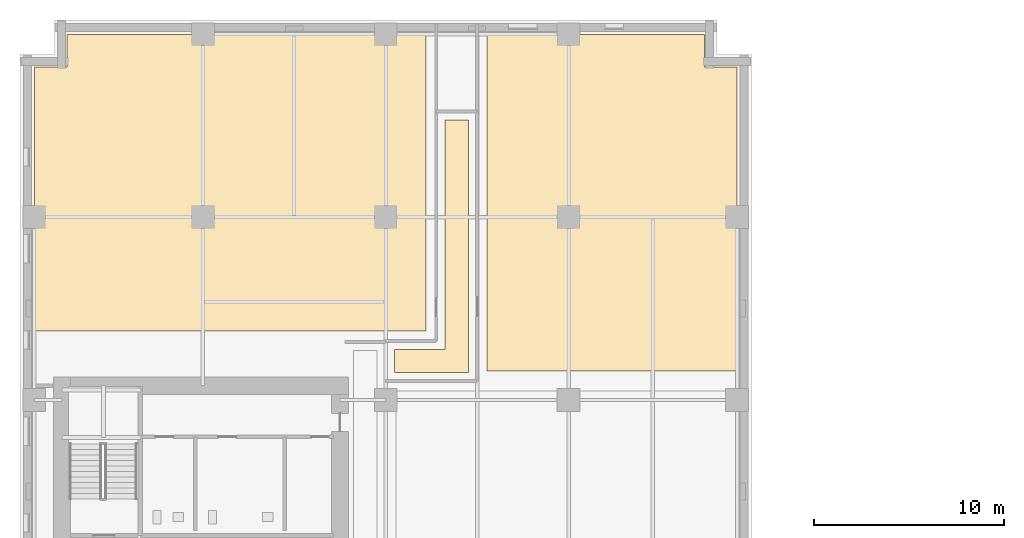
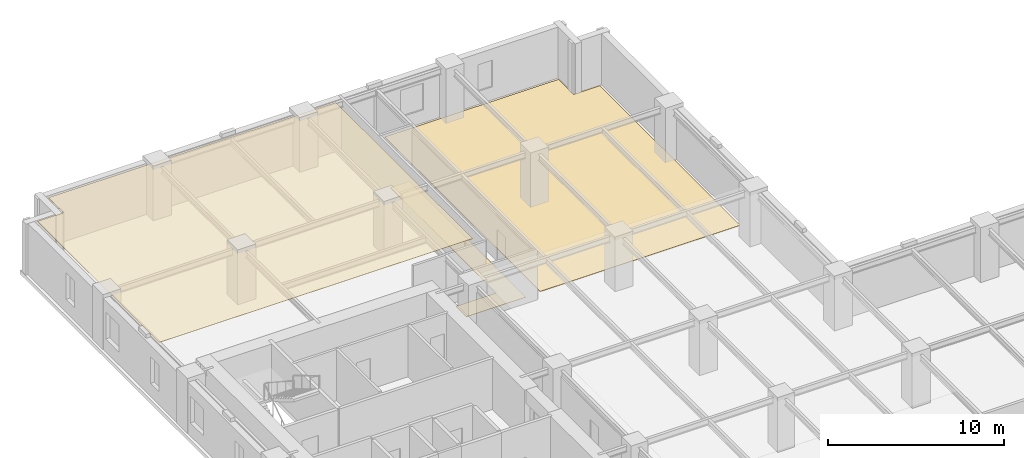
# One storey, part 12 of 13: 3 coverings.
"""IFC4 building model written with IfcOpenShell, lengths in metres."""

import ifcopenshell
import ifcopenshell.guid

model = None  # the IFC model being written
_history = None  # IfcOwnerHistory: only IFC2X3 demands one
_inside = {}  # id of a spatial element -> (the spatial element, [elements in it])
_under = {}  # id of a project, library or spatial element -> (it, [spatial elements below it])
_declared = {}  # id of a project -> (the project, [libraries it declares])
_typed = {}  # id of a type object -> (the type object, [elements of that type])
_made_of = {}  # id of a material, layer set ... -> (it, [elements and type objects made of it])


def new_model(schema):
    """Start an empty IFC model of exactly this schema.

    Asked for "IFC4X3", IfcOpenShell would pick the latest addendum, in which some entities
    have other attributes; the version numbers below select the first issue.
    IFC2X3 requires an IfcOwnerHistory on every rooted entity: one is made here for all.
    """
    global model, _history
    if schema == "IFC4X3":
        model = ifcopenshell.file(schema_version=(4, 3, 0, 0))
    else:
        model = ifcopenshell.file(schema=schema)
    _inside.clear()
    _under.clear()
    _declared.clear()
    _typed.clear()
    _made_of.clear()
    _history = None
    if model.schema == "IFC2X3":
        org = make("IfcOrganization", Name="unknown")
        user = make(
            "IfcPersonAndOrganization",
            ThePerson=make("IfcPerson", FamilyName="unknown"),
            TheOrganization=org,
        )
        app = make(
            "IfcApplication",
            ApplicationDeveloper=org,
            Version="unknown",
            ApplicationFullName="unknown",
            ApplicationIdentifier="unknown",
        )
        _history = make(
            "IfcOwnerHistory",
            OwningUser=user,
            OwningApplication=app,
            ChangeAction="ADDED",
            CreationDate=0,
        )
    return model


def make(cls, **values):
    """One entity of the class cls with the attributes given. An attribute that is None is left unset."""
    return model.create_entity(
        cls, **{name: value for name, value in values.items() if value is not None}
    )


def rooted(cls, **values):
    """An entity with a GlobalId (a new one), such as an element, a storey or a relation."""
    return make(cls, GlobalId=ifcopenshell.guid.new(), OwnerHistory=_history, **values)


def si_unit(unit_type, name, prefix=None):
    """IfcSIUnit, for example si_unit("LENGTHUNIT", "METRE", prefix="MILLI")."""
    return make("IfcSIUnit", UnitType=unit_type, Prefix=prefix, Name=name)


def assignment(units):
    """IfcUnitAssignment: the units of a project."""
    return None if units is None else make("IfcUnitAssignment", Units=units)


def point(xyz):
    """IfcCartesianPoint."""
    return None if xyz is None else make("IfcCartesianPoint", Coordinates=xyz)


def direction(xyz):
    """IfcDirection."""
    return None if xyz is None else make("IfcDirection", DirectionRatios=xyz)


def frame(location, z_axis=None, x_axis=None):
    """IfcAxis2Placement3D, a coordinate frame: its origin and axes. An axis left out is left unset."""
    return make(
        "IfcAxis2Placement3D",
        Location=point(location),
        Axis=direction(z_axis),
        RefDirection=direction(x_axis),
    )


def origin():
    """The frame at (0, 0, 0) with its axes left unset."""
    return frame((0.0, 0.0, 0.0))


def place(relative_to, where):
    """IfcLocalPlacement: puts the frame where relative to a parent placement (None: the world)."""
    return make(
        "IfcLocalPlacement", PlacementRelTo=relative_to, RelativePlacement=where
    )


def context(
    kind, dimensions, precision=None, world=None, true_north=None, identifier=None
):
    """IfcGeometricRepresentationContext, for example the 3D "Model" context."""
    return make(
        "IfcGeometricRepresentationContext",
        ContextIdentifier=identifier,
        ContextType=kind,
        CoordinateSpaceDimension=dimensions,
        Precision=precision,
        WorldCoordinateSystem=world,
        TrueNorth=true_north,
    )


def subcontext(parent, identifier, kind, view, scale=None):
    """IfcGeometricRepresentationSubContext, for example "Body" below "Model"."""
    return make(
        "IfcGeometricRepresentationSubContext",
        ContextIdentifier=identifier,
        ContextType=kind,
        ParentContext=parent,
        TargetScale=scale,
        TargetView=view,
    )


def project(units=None, contexts=None):
    """IfcProject with its units and contexts."""
    return rooted(
        "IfcProject",
        Name="project",
        RepresentationContexts=contexts,
        UnitsInContext=assignment(units),
    )


def spatial(cls, under=None, at=None, **own):
    """A site, building, storey or space (cls), placed at a placement, below another one or the project."""
    s = rooted(cls, ObjectPlacement=at, **own)
    if under is not None:
        _under.setdefault(under.id(), (under, []))[1].append(s)
    return s


def polyline(points):
    """IfcPolyline through the points."""
    return make("IfcPolyline", Points=[point(p) for p in points])


def outline(outer, holes=None, kind="AREA"):
    """IfcArbitraryClosedProfileDef: a profile drawn as a closed curve; with holes, ...WithVoids."""
    if holes is None:
        return make("IfcArbitraryClosedProfileDef", ProfileType=kind, OuterCurve=outer)
    return make(
        "IfcArbitraryProfileDefWithVoids",
        ProfileType=kind,
        OuterCurve=outer,
        InnerCurves=holes,
    )


def extrude(swept, where, along, depth):
    """IfcExtrudedAreaSolid: the profile swept, set in the frame where, extruded along a direction by depth."""
    return make(
        "IfcExtrudedAreaSolid",
        SweptArea=swept,
        Position=where,
        ExtrudedDirection=direction(along),
        Depth=depth,
    )


def shape(context_of_items, identifier, shape_type, items):
    """IfcShapeRepresentation: the items that make up one representation, for example the "Body"."""
    return make(
        "IfcShapeRepresentation",
        ContextOfItems=context_of_items,
        RepresentationIdentifier=identifier,
        RepresentationType=shape_type,
        Items=items,
    )


def material(Name=None, Category=None):
    """IfcMaterial."""
    return make("IfcMaterial", Name=Name, Category=Category)


def layer(
    of_material, thickness, ventilated=None, Name=None, Category=None, Priority=None
):
    """IfcMaterialLayer: one layer of a wall or slab, of a material (None: an air gap)."""
    return make(
        "IfcMaterialLayer",
        Material=of_material,
        LayerThickness=thickness,
        IsVentilated=ventilated,
        Name=Name,
        Category=Category,
        Priority=Priority,
    )


def layer_set(layers, Name=None):
    """IfcMaterialLayerSet."""
    return make("IfcMaterialLayerSet", MaterialLayers=layers, LayerSetName=Name)


def made_of(thing, what):
    """Note that an element or type object is made of a material, layer set ...; save() writes the relation."""
    if what is not None:
        _made_of.setdefault(what.id(), (what, []))[1].append(thing)
    return thing


def type_object(cls, material=None, **own):
    """A type object (cls), such as IfcWallType, which elements share."""
    return made_of(rooted(cls, **own), material)


def element(
    cls,
    number,
    at=None,
    inside=None,
    cuts=None,
    type_object=None,
    material=None,
    context=None,
    identifier="Body",
    shape_type=None,
    held_by="IfcProductDefinitionShape",
    body=None,
    shapes=None,
    **own,
):
    """One element of the class cls, such as IfcWall. Its Tag is "e" and its number.

    at: its placement. inside: the storey or other place that contains it. cuts: it is an
    opening in that element (IfcRelVoidsElement). A single representation is given by context,
    identifier, shape_type and body (its items); several are given by shapes. held_by: the class
    of the entity that holds the representations. save() writes the other relations.
    """
    e = rooted(cls, Tag="e%d" % number, ObjectPlacement=at, **own)
    if body is not None:
        shapes = [shape(context, identifier, shape_type, body)]
    if shapes is not None:
        e.Representation = make(held_by, Representations=shapes)
    if inside is not None:
        _inside.setdefault(inside.id(), (inside, []))[1].append(e)
    if cuts is not None:
        rooted(
            "IfcRelVoidsElement", RelatingBuildingElement=cuts, RelatedOpeningElement=e
        )
    if type_object is not None:
        _typed.setdefault(type_object.id(), (type_object, []))[1].append(e)
    return made_of(e, material)


def aggregate(whole, parts):
    """IfcRelAggregates: a whole, such as a stair, and the parts it consists of."""
    return rooted("IfcRelAggregates", RelatingObject=whole, RelatedObjects=parts)


def save(model, path):
    """Write the relations noted so far, then the file.

    IfcRelAggregates (storeys below a building ...), IfcRelContainedInSpatialStructure (elements
    in a storey), IfcRelDefinesByType, IfcRelAssociatesMaterial and IfcRelDeclares: one each for
    every whole, place, type object, material and project.
    """
    for whole, parts in _under.values():
        aggregate(whole, parts)
    for where, things in _inside.values():
        rooted(
            "IfcRelContainedInSpatialStructure",
            RelatedElements=things,
            RelatingStructure=where,
        )
    for kind, things in _typed.values():
        rooted("IfcRelDefinesByType", RelatedObjects=things, RelatingType=kind)
    for what, things in _made_of.values():
        rooted("IfcRelAssociatesMaterial", RelatedObjects=things, RelatingMaterial=what)
    for by, libraries in _declared.values():
        rooted("IfcRelDeclares", RelatingContext=by, RelatedDefinitions=libraries)
    model.write(path)


model = new_model("IFC4")

# Units and contexts
model_context = context("Model", 3, precision=1e-05, world=origin(), true_north=direction((0.0, 1.0)))
body_context = subcontext(model_context, "Body", "Model", "MODEL_VIEW")
ifc_project = project(units=[si_unit("LENGTHUNIT", "METRE"), si_unit("AREAUNIT", "SQUARE_METRE"), si_unit("VOLUMEUNIT", "CUBIC_METRE"), si_unit("PLANEANGLEUNIT", "RADIAN"), si_unit("MASSUNIT", "GRAM", prefix="KILO")], contexts=[model_context])

# Site, building, storey
site_placement = place(None, origin())
site = spatial("IfcSite", under=ifc_project, at=site_placement, CompositionType="ELEMENT")
building_placement = place(site_placement, origin())
building = spatial("IfcBuilding", under=site, at=building_placement, Name="Norrvale University Quadrangle", CompositionType="ELEMENT")
storey_placement = place(building_placement, frame((0.0, 0.0, 39.39990234375)))
storey = spatial("IfcBuildingStorey", under=building, at=storey_placement, Name="L09", CompositionType="ELEMENT", Elevation=39.39990234375)

# Coverings
ifc_material_1 = material(Name="Perforated Acoustic Mineral Ceiling")
ifc_layer_1 = layer(ifc_material_1, 0.02490234375, Name="Perforated Acoustic Mineral Ceiling")
ifc_layer_set_1 = layer_set([ifc_layer_1], Name="Perforated Acoustic Mineral Ceiling")
covering_type_1 = type_object("IfcCoveringType", Name="Covering Acoustic Ceiling 25", PredefinedType="CEILING", material=ifc_layer_set_1)
covering_1_placement = place(storey_placement, frame((0.0, 0.0, 3.51513671875)))
element("IfcCovering", 1, at=covering_1_placement, inside=storey, type_object=covering_type_1, Name="Acoustic Ceiling RM-L09-NW01", PredefinedType="CEILING", context=body_context, shape_type="SweptSolid", body=[
    extrude(outline(polyline([(21.320068359375, 66.449951171875), (21.320068359375, 50.8798828125), (0.75, 50.8798828125), (0.75, 64.72998046875), (2.469970703125, 64.72998046875), (2.469970703125, 66.449951171875), (21.320068359375, 66.449951171875)])), origin(), (0.0, 0.0, 1.0), 0.02490234375),
])
ifc_material_2 = material(Name="Polished Terrazzo Flooring")
ifc_layer_2 = layer(ifc_material_2, 0.02490234375, Name="Polished Terrazzo Flooring")
ifc_layer_set_2 = layer_set([ifc_layer_2], Name="Polished Terrazzo Flooring")
covering_type_2 = type_object("IfcCoveringType", Name="Covering Terrazzo Floor 30", PredefinedType="FLOORING", material=ifc_layer_set_2)
covering_2_placement = place(storey_placement, origin())
element("IfcCovering", 2, at=covering_2_placement, inside=storey, type_object=covering_type_2, Name="Terrazzo Flooring RM-L09-NCJOG", PredefinedType="FLOORING", context=body_context, shape_type="SweptSolid", body=[
    extrude(outline(polyline([(19.64990234375, 48.699951171875), (19.64990234375, 49.89990234375), (22.300048828125, 49.89990234375), (22.300048828125, 61.949951171875), (23.550048828125, 61.949951171875), (23.550048828125, 48.699951171875), (19.64990234375, 48.699951171875)])), origin(), (0.0, 0.0, 1.0), 0.025146484375),
])
covering_3_placement = place(storey_placement, origin())
element("IfcCovering", 3, at=covering_3_placement, inside=storey, type_object=covering_type_2, Name="Terrazzo Flooring RM-L09-NE01", PredefinedType="FLOORING", context=body_context, shape_type="SweptSolid", body=[
    extrude(outline(polyline([(37.64990234375, 48.780029296875), (24.530029296875, 48.780029296875), (24.530029296875, 66.449951171875), (35.929931640625, 66.449951171875), (35.929931640625, 64.72998046875), (37.64990234375, 64.72998046875), (37.64990234375, 48.780029296875)])), origin(), (0.0, 0.0, 1.0), 0.025146484375),
])

save(model, "model.ifc")
